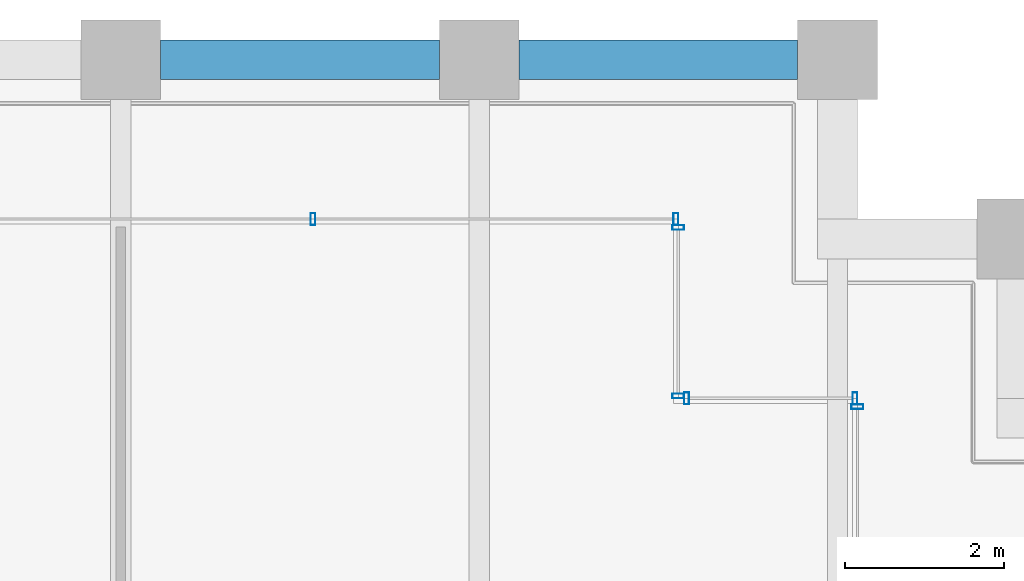
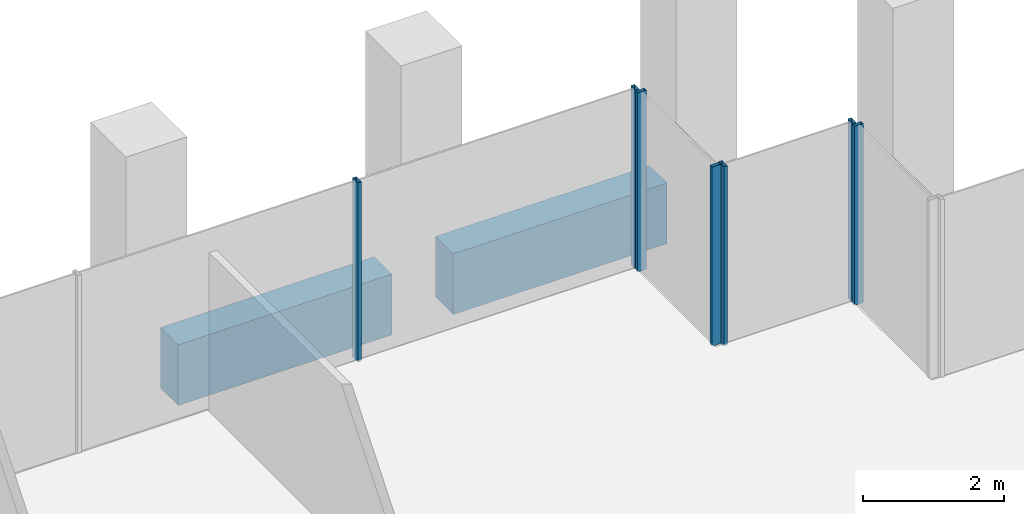
# One storey, part 26 of 47: 7 members, 2 beams, 4 elements without a shape of their own.
"""IFC4 building model written with IfcOpenShell, lengths in metres."""

from ifc_helpers import new_model, si_unit, direction, frame, origin, origin_2d, place, context, subcontext, project, spatial, rectangle, hollow_rectangle, extrude, material, material_profile, profile_set, type_object, element, aggregate, save


model = new_model("IFC4")

# Units and contexts
model_context = context("Model", 3, precision=1e-05, world=origin(), true_north=direction((0.0, 1.0)))
body_context = subcontext(model_context, "Body", "Model", "MODEL_VIEW")
ifc_project = project(units=[si_unit("LENGTHUNIT", "METRE"), si_unit("AREAUNIT", "SQUARE_METRE"), si_unit("VOLUMEUNIT", "CUBIC_METRE"), si_unit("PLANEANGLEUNIT", "RADIAN"), si_unit("MASSUNIT", "GRAM", prefix="KILO")], contexts=[model_context])

# Site, building, storey
site_placement = place(None, origin())
site = spatial("IfcSite", under=ifc_project, at=site_placement, CompositionType="ELEMENT")
building_placement = place(site_placement, origin())
building = spatial("IfcBuilding", under=site, at=building_placement, Name="Altepetl Exchange Towers", CompositionType="ELEMENT")
storey_placement = place(building_placement, frame((0.0, 0.0, 95.60009765625)))
storey = spatial("IfcBuildingStorey", under=building, at=storey_placement, Name="L23", CompositionType="ELEMENT", Elevation=95.60009765625)

# Curtain wall, member
ifc_material_1 = material(Name="Aluminium 6063-T6 glazing", Category="aluminium")
curtain_wall_type = type_object("IfcCurtainWallType", Name="Loggia glazing system", PredefinedType="NOTDEFINED", material=ifc_material_1)
curtain_wall_1_placement = place(storey_placement, origin())
curtain_wall_1 = element("IfcCurtainWall", 1, at=curtain_wall_1_placement, inside=storey, type_object=curtain_wall_type, Name="CW1 run", PredefinedType="NOTDEFINED")
ifc_material_2 = material(Name="Aluminium 6063-T6", Category="aluminium")
ifc_material_profile_1 = material_profile(ifc_material_2, hollow_rectangle(XDim=0.06005859375, YDim=0.14990234375, WallThickness=0.0029296875, at=origin_2d()), Name="Mullion 60x150 aluminium")
ifc_profile_set_1 = profile_set([ifc_material_profile_1], Name="Aluminium 6063-T6")
member_type = type_object("IfcMemberType", Name="Mullion 60x150 aluminium", PredefinedType="MULLION", material=ifc_profile_set_1)
member_1_placement = place(storey_placement, frame((67.75, 67.64501953125, 0.0), z_axis=(0.0, 0.0, 1.0), x_axis=(0.0, 1.0, 0.0)))
member_1 = element("IfcMember", 2, at=member_1_placement, type_object=member_type, Name="MU1 mullion", PredefinedType="MULLION", context=body_context, shape_type="SweptSolid", body=[
    extrude(hollow_rectangle(XDim=0.06005859375, YDim=0.14990234375, WallThickness=0.0029296875, at=origin_2d()), origin(), (0.0, 0.0, 1.0), 3.099853515625),
])
aggregate(curtain_wall_1, [member_1])

# Curtain wall, members
curtain_wall_2_placement = place(storey_placement, origin())
curtain_wall_2 = element("IfcCurtainWall", 3, at=curtain_wall_2_placement, inside=storey, type_object=curtain_wall_type, Name="CW1 run", PredefinedType="NOTDEFINED")
member_2_placement = place(storey_placement, frame((67.719970703125, 67.75, 0.0), z_axis=(0.0, 0.0, 1.0), x_axis=(-1.0, 0.0, 0.0)))
member_2 = element("IfcMember", 4, at=member_2_placement, type_object=member_type, Name="MU1 mullion", PredefinedType="MULLION", context=body_context, shape_type="SweptSolid", body=[
    extrude(hollow_rectangle(XDim=0.06005859375, YDim=0.14990234375, WallThickness=0.0029296875, at=origin_2d()), origin(), (0.0, 0.0, 1.0), 3.099853515625),
])
member_3_placement = place(storey_placement, frame((65.60498046875, 67.75, 0.0), z_axis=(0.0, 0.0, 1.0), x_axis=(-1.0, 0.0, 0.0)))
member_3 = element("IfcMember", 5, at=member_3_placement, type_object=member_type, Name="MU1 mullion", PredefinedType="MULLION", context=body_context, shape_type="SweptSolid", body=[
    extrude(hollow_rectangle(XDim=0.06005859375, YDim=0.14990234375, WallThickness=0.0029296875, at=origin_2d()), origin(), (0.0, 0.0, 1.0), 3.099853515625),
])
aggregate(curtain_wall_2, [member_2, member_3])

curtain_wall_3_placement = place(storey_placement, origin())
curtain_wall_3 = element("IfcCurtainWall", 6, at=curtain_wall_3_placement, inside=storey, type_object=curtain_wall_type, Name="CW1 run", PredefinedType="NOTDEFINED")
member_4_placement = place(storey_placement, frame((65.5, 67.780029296875, 0.0), z_axis=(0.0, 0.0, 1.0), x_axis=(0.0, 1.0, 0.0)))
member_4 = element("IfcMember", 7, at=member_4_placement, type_object=member_type, Name="MU1 mullion", PredefinedType="MULLION", context=body_context, shape_type="SweptSolid", body=[
    extrude(hollow_rectangle(XDim=0.06005859375, YDim=0.14990234375, WallThickness=0.0029296875, at=origin_2d()), origin(), (0.0, 0.0, 1.0), 3.099853515625),
])
member_5_placement = place(storey_placement, frame((65.5, 69.89501953125, 0.0), z_axis=(0.0, 0.0, 1.0), x_axis=(0.0, 1.0, 0.0)))
member_5 = element("IfcMember", 8, at=member_5_placement, type_object=member_type, Name="MU1 mullion", PredefinedType="MULLION", context=body_context, shape_type="SweptSolid", body=[
    extrude(hollow_rectangle(XDim=0.06005859375, YDim=0.14990234375, WallThickness=0.0029296875, at=origin_2d()), origin(), (0.0, 0.0, 1.0), 3.099853515625),
])
aggregate(curtain_wall_3, [member_4, member_5])

curtain_wall_4_placement = place(storey_placement, origin())
curtain_wall_4 = element("IfcCurtainWall", 9, at=curtain_wall_4_placement, inside=storey, type_object=curtain_wall_type, Name="CW1 run", PredefinedType="NOTDEFINED")
member_6_placement = place(storey_placement, frame((65.469970703125, 70.0, 0.0), z_axis=(0.0, 0.0, 1.0), x_axis=(-1.0, 0.0, 0.0)))
member_6 = element("IfcMember", 10, at=member_6_placement, type_object=member_type, Name="MU1 mullion", PredefinedType="MULLION", context=body_context, shape_type="SweptSolid", body=[
    extrude(hollow_rectangle(XDim=0.06005859375, YDim=0.14990234375, WallThickness=0.0029296875, at=origin_2d()), origin(), (0.0, 0.0, 1.0), 3.099853515625),
])
member_7_placement = place(storey_placement, frame((60.9150390625, 70.0, 0.0), z_axis=(0.0, 0.0, 1.0), x_axis=(-1.0, 0.0, 0.0)))
member_7 = element("IfcMember", 11, at=member_7_placement, type_object=member_type, Name="MU1 mullion", PredefinedType="MULLION", context=body_context, shape_type="SweptSolid", body=[
    extrude(hollow_rectangle(XDim=0.06005859375, YDim=0.14990234375, WallThickness=0.0029296875, at=origin_2d()), origin(), (0.0, 0.0, 1.0), 3.099853515625),
])
aggregate(curtain_wall_4, [member_6, member_7])

# Beams
ifc_material_3 = material(Name="Concrete C50/60 precast with cantera rosa facing", Category="concrete")
ifc_material_profile_2 = material_profile(ifc_material_3, rectangle(XDim=0.5, YDim=1.050048828125, at=origin_2d()), Name="500 x 1050")
ifc_profile_set_2 = profile_set([ifc_material_profile_2], Name="Concrete C50/60 precast with cantera rosa facing")
beam_type = type_object("IfcBeamType", Name="Spandrel beam 500x1050 cantera rosa", PredefinedType="SPANDREL", material=ifc_profile_set_2)
for number, where, z_axis, x_axis, name in (
    (12, (67.0, 72.0, -0.675048828125), (-1.0, 0.0, 0.0), (0.0, -1.0, 0.0), "sp:A:L23:024"),
    (13, (62.5, 72.0, -0.675048828125), (-1.0, 0.0, 0.0), (0.0, -1.0, 0.0), "sp:A:L23:025"),
):
    element("IfcBeam", number, at=place(storey_placement, frame(where, z_axis=z_axis, x_axis=x_axis)), inside=storey, type_object=beam_type, Name=name, PredefinedType="SPANDREL", context=body_context, shape_type="SweptSolid", body=[
        extrude(rectangle(XDim=0.5, YDim=1.050048828125, at=origin_2d()), origin(), (0.0, 0.0, 1.0), 3.5),
    ])

save(model, "model.ifc")
